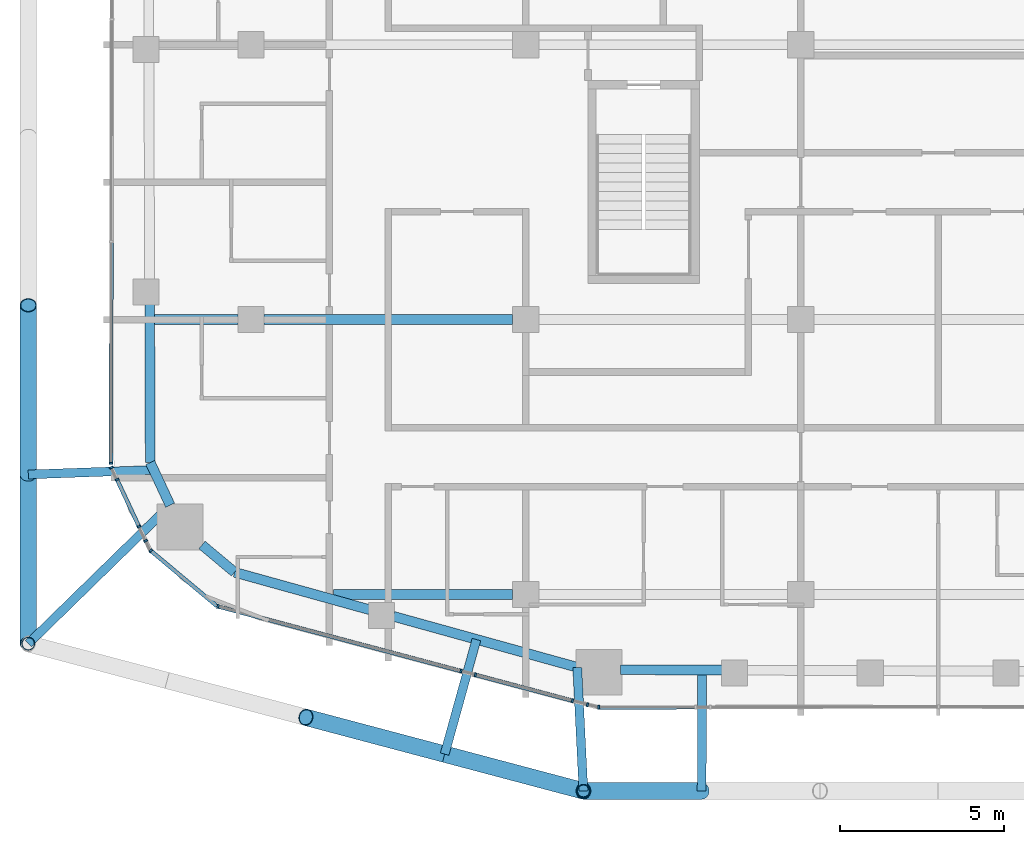
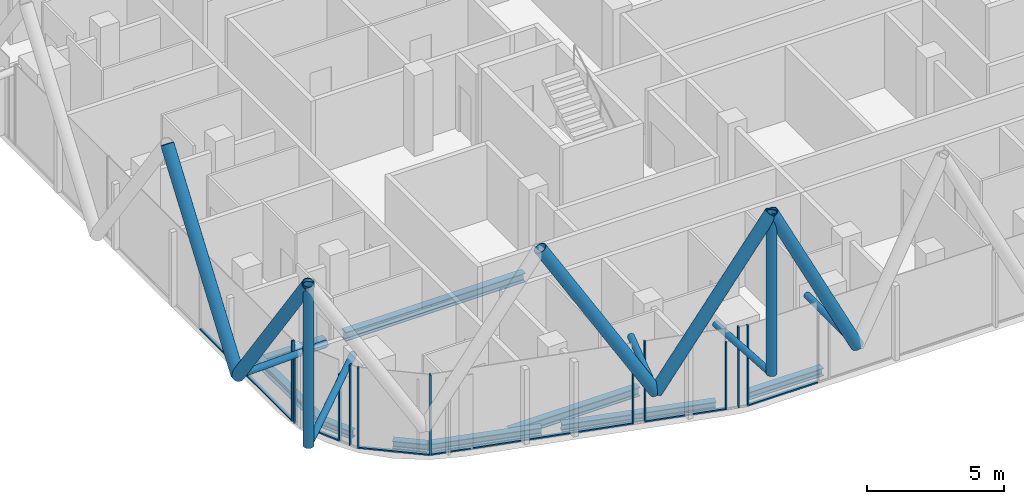
# One storey, part 2 of 31: 30 members, 9 beams, 12 elements without a shape of their own.
"""IFC4 building model written with IfcOpenShell, lengths in metres."""

from ifc_helpers import new_model, si_unit, direction, frame, origin, origin_2d, place, context, subcontext, project, spatial, rectangle, hollow_circle, i_section, extrude, material, layer, layer_set, material_profile, profile_set, type_object, element, aggregate, save


model = new_model("IFC4")

# Units and contexts
model_context = context("Model", 3, precision=1e-05, world=origin(), true_north=direction((0.0, 1.0)))
body_context = subcontext(model_context, "Body", "Model", "MODEL_VIEW")
ifc_project = project(units=[si_unit("LENGTHUNIT", "METRE"), si_unit("AREAUNIT", "SQUARE_METRE"), si_unit("VOLUMEUNIT", "CUBIC_METRE"), si_unit("PLANEANGLEUNIT", "RADIAN"), si_unit("MASSUNIT", "GRAM", prefix="KILO")], contexts=[model_context])

# Site, building, storey
site_placement = place(None, origin())
site = spatial("IfcSite", under=ifc_project, at=site_placement, CompositionType="ELEMENT")
building_placement = place(site_placement, origin())
building = spatial("IfcBuilding", under=site, at=building_placement, Name="Marenta Gate Hotel Tower", CompositionType="ELEMENT")
storey_placement = place(building_placement, frame((0.0, 0.0, 220.10009765625)))
storey = spatial("IfcBuildingStorey", under=building, at=storey_placement, Name="L51", CompositionType="ELEMENT", Elevation=220.10009765625)

# Members
ifc_material_1 = material(Name="Steel S355J2W", Category="steel")
ifc_material_profile_1 = material_profile(ifc_material_1, hollow_circle(Radius=0.203125, WallThickness=0.02490234375, at=origin_2d()), Name="CHS 406.4x25")
ifc_profile_set_1 = profile_set([ifc_material_profile_1], Name="Steel S355J2W")
member_type_1 = type_object("IfcMemberType", Name="Diagrid corner post Z3 CHS 406.4x25", PredefinedType="POST", material=ifc_profile_set_1)
for number, where, z_axis, x_axis, name in (
    (1, (-10.839111328125, -31.199951171875, 3.139892578125), (0.0, 0.0, 1.0), (1.0, 0.0, 0.0), "L51-DR-4"),
    (2, (-27.800048828125, -26.7001953125, 3.139892578125), (0.0, 0.0, 1.0), (1.0, 0.0, 0.0), "L51-DR-5"),
):
    element("IfcMember", number, at=place(storey_placement, frame(where, z_axis=z_axis, x_axis=x_axis)), inside=storey, type_object=member_type_1, Name=name, PredefinedType="POST", context=body_context, shape_type="SweptSolid", body=[
        extrude(hollow_circle(Radius=0.203125, WallThickness=0.02490234375, at=origin_2d()), origin(), (0.0, 0.0, 1.0), 7.199951171875),
    ])
ifc_material_2 = material(Name="Steel S355J2W", Category="steel")
ifc_material_profile_2 = material_profile(ifc_material_2, hollow_circle(Radius=0.25390625, WallThickness=0.02490234375, at=origin_2d()), Name="CHS 508x25")
ifc_profile_set_2 = profile_set([ifc_material_profile_2], Name="Steel S355J2W")
member_type_2 = type_object("IfcMemberType", Name="Diagrid diagonal Z3 CHS 508x25", PredefinedType="BRACE", material=ifc_profile_set_2)
member_1_placement = place(storey_placement, frame((-7.22607421875, -31.199951171875, 3.139892578125), z_axis=(-0.44851025603, 0.0, 0.893777685018), x_axis=(0.0, -1.0, 0.0)))
element("IfcMember", 3, at=member_1_placement, inside=storey, type_object=member_type_2, Name="L51-DG-20", PredefinedType="BRACE", context=body_context, shape_type="SweptSolid", body=[
    extrude(hollow_circle(Radius=0.25390625, WallThickness=0.02490234375, at=origin_2d()), origin(), (0.0, 0.0, 1.0), 8.0556640625),
])
for number, where, z_axis, x_axis, name in (
    (4, (-15.079345703125, -30.074951171875, 3.139892578125), (0.502924018666, -0.133433548941, 0.853968921838), (0.256443187528, 0.96655930577, 0.0), "L51-DG-21"),
    (5, (-15.079345703125, -30.074951171875, 3.139892578125), (-0.502925961678, 0.133405107407, 0.853972221087), (-0.256391194513, -0.966573098827, 0.0), "L51-DG-22"),
):
    element("IfcMember", number, at=place(storey_placement, frame(where, z_axis=z_axis, x_axis=x_axis)), inside=storey, type_object=member_type_2, Name=name, PredefinedType="BRACE", context=body_context, shape_type="SweptSolid", body=[
        extrude(hollow_circle(Radius=0.25390625, WallThickness=0.02490234375, at=origin_2d()), origin(), (0.0, 0.0, 1.0), 8.43115234375),
    ])
member_2_placement = place(storey_placement, frame((-27.800048828125, -21.530029296875, 3.139892578125), z_axis=(0.0, -0.583279014058, 0.812271870595), x_axis=(1.0, 0.0, 0.0)))
element("IfcMember", 6, at=member_2_placement, inside=storey, type_object=member_type_2, Name="L51-DG-25", PredefinedType="BRACE", context=body_context, shape_type="SweptSolid", body=[
    extrude(hollow_circle(Radius=0.25390625, WallThickness=0.02490234375, at=origin_2d()), origin(), (0.0, 0.0, 1.0), 8.864013671875),
])
member_3_placement = place(storey_placement, frame((-27.800048828125, -21.530029296875, 3.139892578125), z_axis=(0.0, 0.583260841117, 0.812284919975), x_axis=(-1.0, 0.0, 0.0)))
element("IfcMember", 7, at=member_3_placement, inside=storey, type_object=member_type_2, Name="L51-DG-26", PredefinedType="BRACE", context=body_context, shape_type="SweptSolid", body=[
    extrude(hollow_circle(Radius=0.25390625, WallThickness=0.02490234375, at=origin_2d()), origin(), (0.0, 0.0, 1.0), 8.86376953125),
])

# Beams
ifc_material_3 = material(Name="Steel S355", Category="steel")
ifc_material_profile_3 = material_profile(ifc_material_3, i_section(OverallWidth=0.300048828125, OverallDepth=0.340087890625, WebThickness=0.011962890625, FlangeThickness=0.021484375, FilletRadius=0.027099609375, at=origin_2d()), Name="HEB 340")
ifc_profile_set_3 = profile_set([ifc_material_profile_3], Name="Steel S355")
beam_type_1 = type_object("IfcBeamType", Name="Edge beam HEB 340", PredefinedType="SPANDREL", material=ifc_profile_set_3)
beam_1_placement = place(storey_placement, frame((-11.02783203125, -27.42236328125, -0.43017578125), z_axis=(-0.963619240724, 0.267278803699, 0.0), x_axis=(-0.267278803699, -0.963619240724, 0.0)))
element("IfcBeam", 8, at=beam_1_placement, inside=storey, type_object=beam_type_1, Name="L51-EB-1", PredefinedType="SPANDREL", context=body_context, shape_type="SweptSolid", body=[
    extrude(i_section(OverallWidth=0.300048828125, OverallDepth=0.340087890625, WebThickness=0.011962890625, FlangeThickness=0.021484375, FilletRadius=0.027099609375, at=origin_2d()), origin(), (0.0, 0.0, 1.0), 5.82958984375),
])
beam_2_placement = place(storey_placement, frame((-17.3681640625, -25.663818359375, -0.43017578125), z_axis=(-0.963628037304, 0.267247087396, 0.0), x_axis=(-0.267247087396, -0.963628037304, 0.0)))
element("IfcBeam", 9, at=beam_2_placement, inside=storey, type_object=beam_type_1, Name="L51-EB-2", PredefinedType="SPANDREL", context=body_context, shape_type="SweptSolid", body=[
    extrude(i_section(OverallWidth=0.300048828125, OverallDepth=0.340087890625, WebThickness=0.011962890625, FlangeThickness=0.021484375, FilletRadius=0.027099609375, at=origin_2d()), origin(), (0.0, 0.0, 1.0), 4.284423828125),
])
beam_3_placement = place(storey_placement, frame((-21.496826171875, -24.518798828125, -0.43017578125), z_axis=(-0.767065103149, 0.641569269472, 0.0), x_axis=(-0.641569269472, -0.767065103149, 0.0)))
element("IfcBeam", 10, at=beam_3_placement, inside=storey, type_object=beam_type_1, Name="L51-EB-3", PredefinedType="SPANDREL", context=body_context, shape_type="SweptSolid", body=[
    extrude(i_section(OverallWidth=0.300048828125, OverallDepth=0.340087890625, WebThickness=0.011962890625, FlangeThickness=0.021484375, FilletRadius=0.027099609375, at=origin_2d()), origin(), (0.0, 0.0, 1.0), 1.299560546875),
])
beam_4_placement = place(storey_placement, frame((-23.466796875, -22.46923828125, -0.43017578125), z_axis=(-0.423341112024, 0.905970365338, 0.0), x_axis=(-0.905970365338, -0.423341112024, 0.0)))
element("IfcBeam", 11, at=beam_4_placement, inside=storey, type_object=beam_type_1, Name="L51-EB-4", PredefinedType="SPANDREL", context=body_context, shape_type="SweptSolid", body=[
    extrude(i_section(OverallWidth=0.300048828125, OverallDepth=0.340087890625, WebThickness=0.011962890625, FlangeThickness=0.021484375, FilletRadius=0.027099609375, at=origin_2d()), origin(), (0.0, 0.0, 1.0), 1.437255859375),
])
beam_5_placement = place(storey_placement, frame((-24.0751953125, -21.167236328125, -0.43017578125), z_axis=(-0.003318732666, 0.999994492992, 0.0), x_axis=(-0.999994492992, -0.003318732666, 0.0)))
element("IfcBeam", 12, at=beam_5_placement, inside=storey, type_object=beam_type_1, Name="L51-EB-5", PredefinedType="SPANDREL", context=body_context, shape_type="SweptSolid", body=[
    extrude(i_section(OverallWidth=0.300048828125, OverallDepth=0.340087890625, WebThickness=0.011962890625, FlangeThickness=0.021484375, FilletRadius=0.027099609375, at=origin_2d()), origin(), (0.0, 0.0, 1.0), 4.855224609375),
])
beam_6_placement = place(storey_placement, frame((-6.580078125, -27.507568359375, -0.43017578125), z_axis=(-0.99999237665, 0.00390469495, 0.0), x_axis=(-0.00390469495, -0.99999237665, 0.0)))
element("IfcBeam", 13, at=beam_6_placement, inside=storey, type_object=beam_type_1, Name="L51-EB-36", PredefinedType="SPANDREL", context=body_context, shape_type="SweptSolid", body=[
    extrude(i_section(OverallWidth=0.300048828125, OverallDepth=0.340087890625, WebThickness=0.011962890625, FlangeThickness=0.021484375, FilletRadius=0.027099609375, at=origin_2d()), origin(), (0.0, 0.0, 1.0), 3.126220703125),
])

# Members
ifc_material_4 = material(Name="Steel S355J2W", Category="steel")
ifc_material_profile_4 = material_profile(ifc_material_4, hollow_circle(Radius=0.136474609375, WallThickness=0.012451171875, at=origin_2d()), Name="CHS 273x12.5")
ifc_profile_set_4 = profile_set([ifc_material_profile_4], Name="Steel S355J2W")
member_type_3 = type_object("IfcMemberType", Name="Floor tie CHS 273x12.5", PredefinedType="STRUT", material=ifc_profile_set_4)
member_4_placement = place(storey_placement, frame((-7.22607421875, -31.199951171875, 3.139892578125), z_axis=(0.00383848926, 0.999992632973, 0.0), x_axis=(-0.999992632973, 0.00383848926, 0.0)))
element("IfcMember", 14, at=member_4_placement, inside=storey, type_object=member_type_3, Name="L51-DR-15", PredefinedType="STRUT", context=body_context, shape_type="SweptSolid", body=[
    extrude(hollow_circle(Radius=0.136474609375, WallThickness=0.012451171875, at=origin_2d()), origin(), (0.0, 0.0, 1.0), 3.68896484375),
])
member_5_placement = place(storey_placement, frame((-10.839111328125, -31.199951171875, 3.139892578125), z_axis=(-0.049850547476, 0.998756688546, 0.0), x_axis=(-0.998756688546, -0.049850547476, 0.0)))
element("IfcMember", 15, at=member_5_placement, inside=storey, type_object=member_type_3, Name="L51-DR-16", PredefinedType="STRUT", context=body_context, shape_type="SweptSolid", body=[
    extrude(hollow_circle(Radius=0.136474609375, WallThickness=0.012451171875, at=origin_2d()), origin(), (0.0, 0.0, 1.0), 3.77587890625),
])
member_6_placement = place(storey_placement, frame((-15.079345703125, -30.074951171875, 3.139892578125), z_axis=(0.267266043372, 0.963622779961, 0.0), x_axis=(-0.963622779961, 0.267266043372, 0.0)))
element("IfcMember", 16, at=member_6_placement, inside=storey, type_object=member_type_3, Name="L51-DR-17", PredefinedType="STRUT", context=body_context, shape_type="SweptSolid", body=[
    extrude(hollow_circle(Radius=0.136474609375, WallThickness=0.012451171875, at=origin_2d()), origin(), (0.0, 0.0, 1.0), 3.6328125),
])
member_7_placement = place(storey_placement, frame((-27.800048828125, -26.7001953125, 3.139892578125), z_axis=(0.715510328178, 0.698602154499, 0.0), x_axis=(-0.698602154499, 0.715510328178, 0.0)))
element("IfcMember", 17, at=member_7_placement, inside=storey, type_object=member_type_3, Name="L51-DR-18", PredefinedType="STRUT", context=body_context, shape_type="SweptSolid", body=[
    extrude(hollow_circle(Radius=0.136474609375, WallThickness=0.012451171875, at=origin_2d()), origin(), (0.0, 0.0, 1.0), 6.050048828125),
])
member_8_placement = place(storey_placement, frame((-27.800048828125, -21.530029296875, 3.139892578125), z_axis=(0.999366101167, 0.035600503349, 0.0), x_axis=(-0.035600503349, 0.999366101167, 0.0)))
element("IfcMember", 18, at=member_8_placement, inside=storey, type_object=member_type_3, Name="L51-DR-19", PredefinedType="STRUT", context=body_context, shape_type="SweptSolid", body=[
    extrude(hollow_circle(Radius=0.136474609375, WallThickness=0.012451171875, at=origin_2d()), origin(), (0.0, 0.0, 1.0), 3.82666015625),
])

# Beams
ifc_material_5 = material(Name="Steel S355", Category="steel")
ifc_material_profile_5 = material_profile(ifc_material_5, i_section(OverallWidth=0.300048828125, OverallDepth=0.39990234375, WebThickness=0.013427734375, FlangeThickness=0.02392578125, FilletRadius=0.027099609375, at=origin_2d()), Name="HEB 400")
ifc_profile_set_5 = profile_set([ifc_material_profile_5], Name="Steel S355")
beam_type_2 = type_object("IfcBeamType", Name="Girder HEB 400", PredefinedType="BEAM", material=ifc_profile_set_5)
beam_7_placement = place(storey_placement, frame((-18.479248046875, -25.199951171875, -0.460205078125), z_axis=(1.0, 0.0, 0.0), x_axis=(0.0, 1.0, 0.0)))
element("IfcBeam", 19, at=beam_7_placement, inside=storey, type_object=beam_type_2, Name="L51-GD-1", PredefinedType="BEAM", context=body_context, shape_type="SweptSolid", body=[
    extrude(i_section(OverallWidth=0.300048828125, OverallDepth=0.39990234375, WebThickness=0.013427734375, FlangeThickness=0.02392578125, FilletRadius=0.027099609375, at=origin_2d()), origin(), (0.0, 0.0, 1.0), 5.479248046875),
])
beam_8_placement = place(storey_placement, frame((-23.939697265625, -16.800048828125, -0.460205078125), z_axis=(1.0, 0.0, 0.0), x_axis=(0.0, 1.0, 0.0)))
element("IfcBeam", 20, at=beam_8_placement, inside=storey, type_object=beam_type_2, Name="L51-GD-6", PredefinedType="BEAM", context=body_context, shape_type="SweptSolid", body=[
    extrude(i_section(OverallWidth=0.300048828125, OverallDepth=0.39990234375, WebThickness=0.013427734375, FlangeThickness=0.02392578125, FilletRadius=0.027099609375, at=origin_2d()), origin(), (0.0, 0.0, 1.0), 2.539794921875),
])
beam_9_placement = place(storey_placement, frame((-20.60009765625, -16.800048828125, -0.460205078125), z_axis=(1.0, 0.0, 0.0), x_axis=(0.0, 1.0, 0.0)))
element("IfcBeam", 21, at=beam_9_placement, inside=storey, type_object=beam_type_2, Name="L51-GD-7", PredefinedType="BEAM", context=body_context, shape_type="SweptSolid", body=[
    extrude(i_section(OverallWidth=0.300048828125, OverallDepth=0.39990234375, WebThickness=0.013427734375, FlangeThickness=0.02392578125, FilletRadius=0.027099609375, at=origin_2d()), origin(), (0.0, 0.0, 1.0), 7.60009765625),
])

# Curtain wall, member
ifc_material_6 = material(Name="Tinted insulated glass in bronze anodised frame", Category="glass")
ifc_layer = layer(ifc_material_6, 0.1201171875)
ifc_layer_set = layer_set([ifc_layer], Name="Tinted insulated glass in bronze anodised frame")
curtain_wall_type = type_object("IfcCurtainWallType", Name="Tower unitised curtain wall CW1", PredefinedType="NOTDEFINED", material=ifc_layer_set)
curtain_wall_1_placement = place(storey_placement, origin())
curtain_wall_1 = element("IfcCurtainWall", 22, at=curtain_wall_1_placement, inside=storey, type_object=curtain_wall_type, Name="CW1 run G08", PredefinedType="NOTDEFINED")
ifc_material_7 = material(Name="Bronze anodised aluminium", Category="aluminium")
ifc_material_profile_6 = material_profile(ifc_material_7, rectangle(XDim=0.1201171875, YDim=0.06005859375, at=origin_2d()), Name="Mullion CW1 60x120 bronze anodised aluminium")
ifc_profile_set_6 = profile_set([ifc_material_profile_6], Name="Bronze anodised aluminium")
member_type_4 = type_object("IfcMemberType", Name="Mullion CW1 60x120 bronze anodised aluminium", PredefinedType="MULLION", material=ifc_profile_set_6)
member_9_placement = place(storey_placement, frame((-25.27294921875, -21.18359375, 0.0), z_axis=(0.0, 0.0, 1.0), x_axis=(0.999998775932, -0.001564651623, 0.0)))
member_9 = element("IfcMember", 23, at=member_9_placement, type_object=member_type_4, Name="CW1 mullion 4", PredefinedType="MULLION", context=body_context, shape_type="SweptSolid", body=[
    extrude(rectangle(XDim=0.1201171875, YDim=0.06005859375, at=origin_2d()), origin(), (0.0, 0.0, 1.0), 3.599853515625),
])

curtain_wall_2_placement = place(storey_placement, origin())
curtain_wall_2 = element("IfcCurtainWall", 24, at=curtain_wall_2_placement, inside=storey, type_object=curtain_wall_type, Name="CW1 run G09", PredefinedType="NOTDEFINED")
member_10_placement = place(storey_placement, frame((-25.26025390625, -21.321044921875, 0.0), z_axis=(0.0, 0.0, 1.0), x_axis=(0.905968482447, 0.423345141478, 0.0)))
member_10 = element("IfcMember", 25, at=member_10_placement, type_object=member_type_4, Name="CW1 mullion 1", PredefinedType="MULLION", context=body_context, shape_type="SweptSolid", body=[
    extrude(rectangle(XDim=0.1201171875, YDim=0.06005859375, at=origin_2d()), origin(), (0.0, 0.0, 1.0), 3.00048828125),
])
aggregate(curtain_wall_2, [member_10])

curtain_wall_3_placement = place(storey_placement, origin())
curtain_wall_3 = element("IfcCurtainWall", 26, at=curtain_wall_3_placement, inside=storey, type_object=curtain_wall_type, Name="CW1 run G10", PredefinedType="NOTDEFINED")
member_11_placement = place(storey_placement, frame((-25.0888671875, -21.687744140625, 0.0), z_axis=(0.0, 0.0, 1.0), x_axis=(0.905976448707, 0.423328093078, 0.0)))
member_11 = element("IfcMember", 27, at=member_11_placement, type_object=member_type_4, Name="CW1 mullion 1", PredefinedType="MULLION", context=body_context, shape_type="SweptSolid", body=[
    extrude(rectangle(XDim=0.1201171875, YDim=0.06005859375, at=origin_2d()), origin(), (0.0, 0.0, 1.0), 3.599853515625),
])

curtain_wall_4_placement = place(storey_placement, origin())
curtain_wall_4 = element("IfcCurtainWall", 28, at=curtain_wall_4_placement, inside=storey, type_object=curtain_wall_type, Name="CW1 run G11", PredefinedType="NOTDEFINED")
member_12_placement = place(storey_placement, frame((-24.418701171875, -23.121826171875, 0.0), z_axis=(0.0, 0.0, 1.0), x_axis=(0.905948786251, 0.423387289241, 0.0)))
member_12 = element("IfcMember", 29, at=member_12_placement, type_object=member_type_4, Name="CW1 mullion 1", PredefinedType="MULLION", context=body_context, shape_type="SweptSolid", body=[
    extrude(rectangle(XDim=0.1201171875, YDim=0.06005859375, at=origin_2d()), origin(), (0.0, 0.0, 1.0), 3.00048828125),
])
aggregate(curtain_wall_4, [member_12])

curtain_wall_5_placement = place(storey_placement, origin())
curtain_wall_5 = element("IfcCurtainWall", 30, at=curtain_wall_5_placement, inside=storey, type_object=curtain_wall_type, Name="CW1 run G12", PredefinedType="NOTDEFINED")
member_13_placement = place(storey_placement, frame((-24.215576171875, -23.556640625, 0.0), z_axis=(0.0, 0.0, 1.0), x_axis=(0.905989668401, 0.423299800084, 0.0)))
member_13 = element("IfcMember", 31, at=member_13_placement, type_object=member_type_4, Name="CW1 mullion 1", PredefinedType="MULLION", context=body_context, shape_type="SweptSolid", body=[
    extrude(rectangle(XDim=0.1201171875, YDim=0.06005859375, at=origin_2d()), origin(), (0.0, 0.0, 1.0), 3.599853515625),
])
aggregate(curtain_wall_5, [member_13])

curtain_wall_6_placement = place(storey_placement, origin())
curtain_wall_6 = element("IfcCurtainWall", 32, at=curtain_wall_6_placement, inside=storey, type_object=curtain_wall_type, Name="CW1 run G13", PredefinedType="NOTDEFINED")
member_14_placement = place(storey_placement, frame((-24.059814453125, -23.85986328125, 0.0), z_axis=(0.0, 0.0, 1.0), x_axis=(0.641524739495, 0.767102345594, 0.0)))
member_14 = element("IfcMember", 33, at=member_14_placement, type_object=member_type_4, Name="CW1 mullion 1", PredefinedType="MULLION", context=body_context, shape_type="SweptSolid", body=[
    extrude(rectangle(XDim=0.1201171875, YDim=0.06005859375, at=origin_2d()), origin(), (0.0, 0.0, 1.0), 3.599853515625),
])

curtain_wall_7_placement = place(storey_placement, origin())
curtain_wall_7 = element("IfcCurtainWall", 34, at=curtain_wall_7_placement, inside=storey, type_object=curtain_wall_type, Name="CW1 run G14", PredefinedType="NOTDEFINED")
member_15_placement = place(storey_placement, frame((-22.00634765625, -25.560791015625, 0.0), z_axis=(0.0, 0.0, 1.0), x_axis=(0.257136207427, 0.966375170847, 0.0)))
member_15 = element("IfcMember", 35, at=member_15_placement, type_object=member_type_4, Name="CW1 mullion 1", PredefinedType="MULLION", context=body_context, shape_type="SweptSolid", body=[
    extrude(rectangle(XDim=0.1201171875, YDim=0.06005859375, at=origin_2d()), origin(), (0.0, 0.0, 1.0), 3.599853515625),
])

curtain_wall_8_placement = place(storey_placement, origin())
curtain_wall_8 = element("IfcCurtainWall", 36, at=curtain_wall_8_placement, inside=storey, type_object=curtain_wall_type, Name="CW1 run G15", PredefinedType="NOTDEFINED")
member_16_placement = place(storey_placement, frame((-14.579345703125, -27.537109375, 0.0), z_axis=(0.0, 0.0, 1.0), x_axis=(0.257154287199, 0.966370359942, 0.0)))
member_16 = element("IfcMember", 37, at=member_16_placement, type_object=member_type_4, Name="CW1 mullion 1", PredefinedType="MULLION", context=body_context, shape_type="SweptSolid", body=[
    extrude(rectangle(XDim=0.1201171875, YDim=0.06005859375, at=origin_2d()), origin(), (0.0, 0.0, 1.0), 3.00048828125),
])
aggregate(curtain_wall_8, [member_16])

curtain_wall_9_placement = place(storey_placement, origin())
curtain_wall_9 = element("IfcCurtainWall", 38, at=curtain_wall_9_placement, inside=storey, type_object=curtain_wall_type, Name="CW1 run G16", PredefinedType="NOTDEFINED")
member_17_placement = place(storey_placement, frame((-14.1416015625, -27.653564453125, 0.0), z_axis=(0.0, 0.0, 1.0), x_axis=(0.257117208999, 0.96638022581, 0.0)))
member_17 = element("IfcMember", 39, at=member_17_placement, type_object=member_type_4, Name="CW1 mullion 1", PredefinedType="MULLION", context=body_context, shape_type="SweptSolid", body=[
    extrude(rectangle(XDim=0.1201171875, YDim=0.06005859375, at=origin_2d()), origin(), (0.0, 0.0, 1.0), 3.599853515625),
])

curtain_wall_10_placement = place(storey_placement, origin())
curtain_wall_10 = element("IfcCurtainWall", 40, at=curtain_wall_10_placement, inside=storey, type_object=curtain_wall_type, Name="CW1 run G17", PredefinedType="NOTDEFINED")
member_18_placement = place(storey_placement, frame((-11.1748046875, -28.44287109375, 0.0), z_axis=(0.0, 0.0, 1.0), x_axis=(0.257099982864, 0.966384808868, 0.0)))
member_18 = element("IfcMember", 41, at=member_18_placement, type_object=member_type_4, Name="CW1 mullion 1", PredefinedType="MULLION", context=body_context, shape_type="SweptSolid", body=[
    extrude(rectangle(XDim=0.1201171875, YDim=0.06005859375, at=origin_2d()), origin(), (0.0, 0.0, 1.0), 3.00048828125),
])
aggregate(curtain_wall_10, [member_18])

curtain_wall_11_placement = place(storey_placement, origin())
curtain_wall_11 = element("IfcCurtainWall", 42, at=curtain_wall_11_placement, inside=storey, type_object=curtain_wall_type, Name="CW1 run G18", PredefinedType="NOTDEFINED")
member_19_placement = place(storey_placement, frame((-10.71533203125, -28.565185546875, 0.0), z_axis=(0.0, 0.0, 1.0), x_axis=(0.257431460974, 0.966296560535, 0.0)))
member_19 = element("IfcMember", 43, at=member_19_placement, type_object=member_type_4, Name="CW1 mullion 1", PredefinedType="MULLION", context=body_context, shape_type="SweptSolid", body=[
    extrude(rectangle(XDim=0.1201171875, YDim=0.06005859375, at=origin_2d()), origin(), (0.0, 0.0, 1.0), 3.599853515625),
])
aggregate(curtain_wall_11, [member_19])

curtain_wall_12_placement = place(storey_placement, origin())
curtain_wall_12 = element("IfcCurtainWall", 44, at=curtain_wall_12_placement, inside=storey, type_object=curtain_wall_type, Name="CW1 run G19", PredefinedType="NOTDEFINED")
member_20_placement = place(storey_placement, frame((-10.3759765625, -28.6474609375, 0.0), z_axis=(0.0, 0.0, 1.0), x_axis=(-0.001653559645, 0.999998632869, 0.0)))
member_20 = element("IfcMember", 45, at=member_20_placement, type_object=member_type_4, Name="CW1 mullion 1", PredefinedType="MULLION", context=body_context, shape_type="SweptSolid", body=[
    extrude(rectangle(XDim=0.1201171875, YDim=0.06005859375, at=origin_2d()), origin(), (0.0, 0.0, 1.0), 3.599853515625),
])

# Member
ifc_material_8 = material(Name="Bronze anodised aluminium", Category="aluminium")
ifc_material_profile_7 = material_profile(ifc_material_8, rectangle(XDim=0.1201171875, YDim=0.06005859375, at=origin_2d()), Name="Transom CW1 60x120 bronze anodised aluminium")
ifc_profile_set_7 = profile_set([ifc_material_profile_7], Name="Bronze anodised aluminium")
member_type_5 = type_object("IfcMemberType", Name="Transom CW1 60x120 bronze anodised aluminium", PredefinedType="USERDEFINED", material=ifc_profile_set_7)
member_21_placement = place(storey_placement, frame((-25.26220703125, -14.447509765625, 0.02978515625), z_axis=(-0.001565456069, -0.999998774673, 0.0), x_axis=(0.999998774673, -0.001565456069, 0.0)))
member_21 = element("IfcMember", 46, at=member_21_placement, type_object=member_type_5, Name="CW1 transom 3.1", ObjectType="TRANSOM", PredefinedType="USERDEFINED", context=body_context, shape_type="SweptSolid", body=[
    extrude(rectangle(XDim=0.1201171875, YDim=0.06005859375, at=origin_2d()), origin(), (0.0, 0.0, 1.0), 6.7060546875),
])

aggregate(curtain_wall_1, [member_9, member_21])

member_22_placement = place(storey_placement, frame((-25.076171875, -21.71484375, 0.02978515625), z_axis=(0.423332946219, -0.905974181004, 0.0), x_axis=(0.905974181004, 0.423332946219, 0.0)))
member_22 = element("IfcMember", 47, at=member_22_placement, type_object=member_type_5, Name="CW1 transom 1.1", ObjectType="TRANSOM", PredefinedType="USERDEFINED", context=body_context, shape_type="SweptSolid", body=[
    extrude(rectangle(XDim=0.1201171875, YDim=0.06005859375, at=origin_2d()), origin(), (0.0, 0.0, 1.0), 1.523193359375),
])

aggregate(curtain_wall_3, [member_11, member_22])

member_23_placement = place(storey_placement, frame((-24.036865234375, -23.879150390625, 0.02978515625), z_axis=(0.767100312603, -0.641527170433, 0.0), x_axis=(0.641527170433, 0.767100312603, 0.0)))
member_23 = element("IfcMember", 48, at=member_23_placement, type_object=member_type_5, Name="CW1 transom 1.1", ObjectType="TRANSOM", PredefinedType="USERDEFINED", context=body_context, shape_type="SweptSolid", body=[
    extrude(rectangle(XDim=0.1201171875, YDim=0.06005859375, at=origin_2d()), origin(), (0.0, 0.0, 1.0), 2.609130859375),
])

aggregate(curtain_wall_6, [member_14, member_23])

member_24_placement = place(storey_placement, frame((-21.977294921875, -25.568603515625, 0.02978515625), z_axis=(0.966376678681, -0.257130540585, 0.0), x_axis=(0.257130540585, 0.966376678681, 0.0)))
member_24 = element("IfcMember", 49, at=member_24_placement, type_object=member_type_5, Name="CW1 transom 1.1", ObjectType="TRANSOM", PredefinedType="USERDEFINED", context=body_context, shape_type="SweptSolid", body=[
    extrude(rectangle(XDim=0.1201171875, YDim=0.06005859375, at=origin_2d()), origin(), (0.0, 0.0, 1.0), 7.625244140625),
])

aggregate(curtain_wall_7, [member_15, member_24])

member_25_placement = place(storey_placement, frame((-14.112548828125, -27.6611328125, 0.02978515625), z_axis=(0.966377496027, -0.257127468726, 0.0), x_axis=(0.257127468726, 0.966377496027, 0.0)))
member_25 = element("IfcMember", 50, at=member_25_placement, type_object=member_type_5, Name="CW1 transom 1.1", ObjectType="TRANSOM", PredefinedType="USERDEFINED", context=body_context, shape_type="SweptSolid", body=[
    extrude(rectangle(XDim=0.1201171875, YDim=0.06005859375, at=origin_2d()), origin(), (0.0, 0.0, 1.0), 3.010009765625),
])

aggregate(curtain_wall_9, [member_17, member_25])

member_26_placement = place(storey_placement, frame((-10.345947265625, -28.6474609375, 0.02978515625), z_axis=(0.999998585773, 0.001681800514, 0.0), x_axis=(-0.001681800514, 0.999998585773, 0.0)))
member_26 = element("IfcMember", 51, at=member_26_placement, type_object=member_type_5, Name="CW1 transom 1.1", ObjectType="TRANSOM", PredefinedType="USERDEFINED", context=body_context, shape_type="SweptSolid", body=[
    extrude(rectangle(XDim=0.1201171875, YDim=0.06005859375, at=origin_2d()), origin(), (0.0, 0.0, 1.0), 2.9033203125),
])

aggregate(curtain_wall_12, [member_20, member_26])

save(model, "model.ifc")
